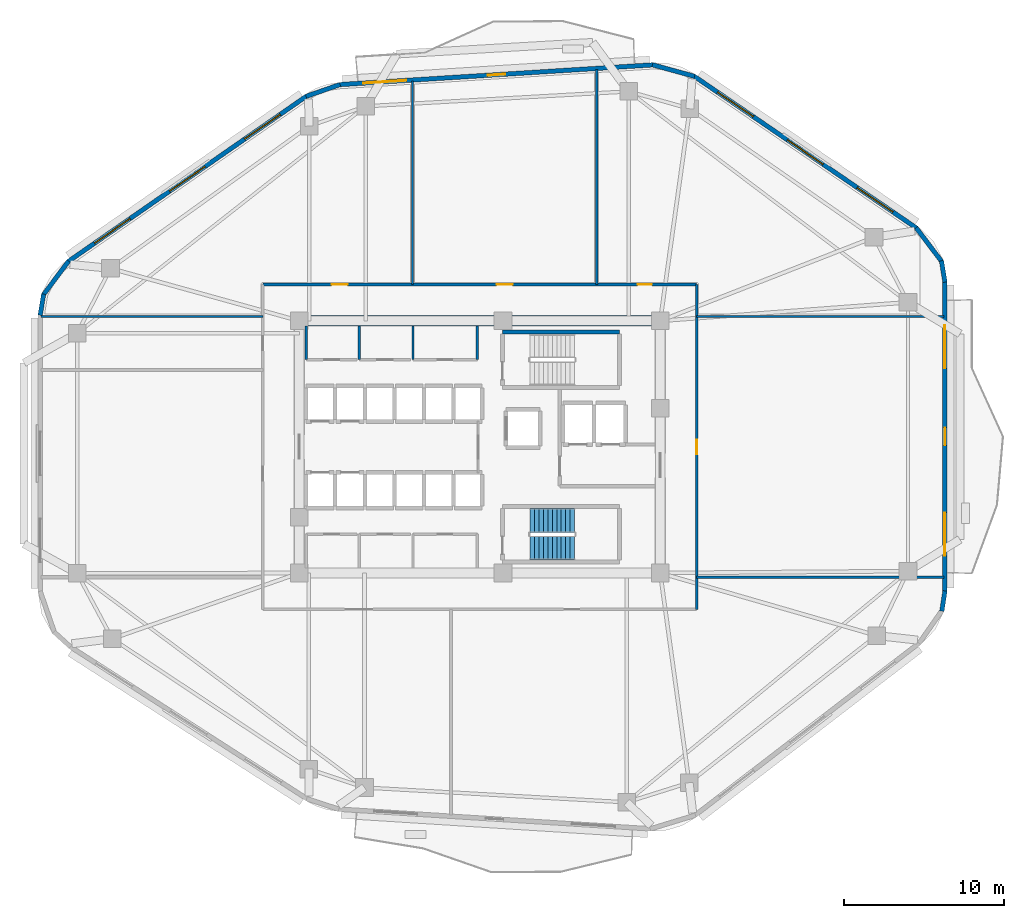
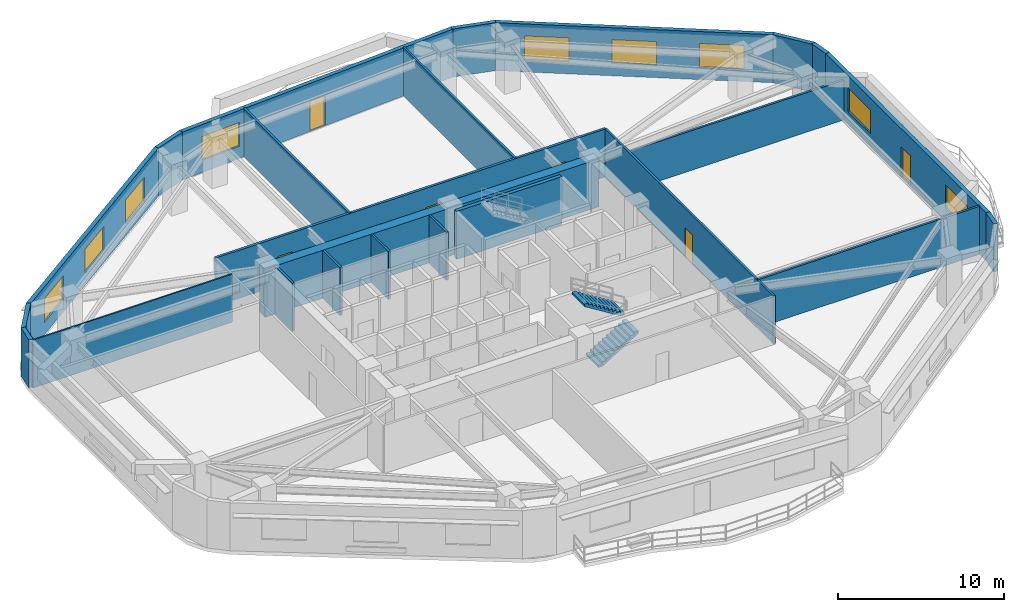
# One storey, part 5 of 9: 24 walls, 9 windows, 6 doors, 2 stair flights, 15 openings, 1 element without a shape of its own.
"""IFC4 building model written with IfcOpenShell, lengths in metres."""

from ifc_helpers import new_model, si_unit, direction, frame, frame_2d, origin, place, context, subcontext, project, spatial, polyline, rectangle, outline, extrude, material, layer, layer_set, type_object, element, fill, aggregate, save


model = new_model("IFC4")

# Units and contexts
model_context = context("Model", 3, precision=1e-05, world=origin(), true_north=direction((0.0, 1.0)))
body_context = subcontext(model_context, "Body", "Model", "MODEL_VIEW")
ifc_project = project(units=[si_unit("LENGTHUNIT", "METRE"), si_unit("AREAUNIT", "SQUARE_METRE"), si_unit("VOLUMEUNIT", "CUBIC_METRE"), si_unit("PLANEANGLEUNIT", "RADIAN"), si_unit("MASSUNIT", "GRAM", prefix="KILO")], contexts=[model_context])

# Site, building, storey
site_placement = place(None, origin())
site = spatial("IfcSite", under=ifc_project, at=site_placement, CompositionType="ELEMENT")
building_placement = place(site_placement, origin())
building = spatial("IfcBuilding", under=site, at=building_placement, Name="Zulverin Broadcast Headquarters", CompositionType="ELEMENT")
storey_placement = place(building_placement, frame((0.0, 0.0, 112.39990234375)))
storey = spatial("IfcBuildingStorey", under=building, at=storey_placement, Name="L28", CompositionType="ELEMENT", Elevation=112.39990234375)

# Wall
ifc_material_1 = material(Name="Concrete C60/75", Category="concrete")
ifc_layer_1 = layer(ifc_material_1, 0.64990234375, Name="Concrete C60/75", Category="concrete")
ifc_layer_set_1 = layer_set([ifc_layer_1], Name="Concrete C60/75")
wall_type_1 = type_object("IfcWallType", Name="WL-CORE-650", PredefinedType="SHEAR", material=ifc_layer_set_1)
wall_1_placement = place(storey_placement, frame((25.39990234375, 33.074951171875, 0.0), z_axis=(0.0, 0.0, 1.0), x_axis=(1.0, 0.0, 0.0)))
element("IfcWall", 1, at=wall_1_placement, inside=storey, type_object=wall_type_1, Name="L28 Core North Shear Wall", PredefinedType="SHEAR", context=body_context, shape_type="SweptSolid", body=[
    extrude(rectangle(XDim=23.2001953125, YDim=0.64990234375, at=frame_2d((11.60009765625, 0.0))), origin(), (0.0, 0.0, 1.0), 3.525146484375),
])

# Wall, openings, door, windows
ifc_material_2 = material(Name="Insulated pale-metal clad concrete spandrel C40/50", Category="concrete")
ifc_layer_2 = layer(ifc_material_2, 0.280029296875, Name="Insulated pale-metal clad concrete spandrel C40/50", Category="concrete")
ifc_layer_set_2 = layer_set([ifc_layer_2], Name="Insulated pale-metal clad concrete spandrel C40/50")
wall_type_2 = type_object("IfcWallType", Name="WL-EXT-280", PredefinedType="STANDARD", material=ifc_layer_set_2)
wall_2_placement = place(storey_placement, frame((66.06005859375, 16.183349609375, 0.0), z_axis=(0.0, 0.0, 1.0), x_axis=(0.0, 1.0, 0.0)))
wall_2 = element("IfcWall", 2, at=wall_2_placement, inside=storey, type_object=wall_type_2, Name="L28 Pale-Metal Clad Spandrel Wall 3", PredefinedType="STANDARD", context=body_context, shape_type="SweptSolid", body=[
    extrude(rectangle(XDim=19.3310546875, YDim=0.280029296875, at=frame_2d((9.66552734375, 0.0))), origin(), (0.0, 0.0, 1.0), 3.525146484375),
])
opening_1_placement = place(wall_2_placement, frame((9.115478515625, 0.0, 0.0)))
opening_1 = element("IfcOpeningElement", 3, at=opening_1_placement, cuts=wall_2, Name="Opening D-L28-TR3", PredefinedType="OPENING", context=body_context, shape_type="SweptSolid", body=[
    extrude(rectangle(XDim=1.10009765625, YDim=2.199951171875, at=frame_2d((0.550048828125, 1.10009765625))), frame((0.0, 0.14990234375, 0.0), z_axis=(0.0, -1.0, 0.0), x_axis=(1.0, 0.0, 0.0)), (0.0, 0.0, 1.0), 0.300048828125),
])
opening_2_placement = place(wall_2_placement, frame((2.205078125, 0.0, 0.89990234375)))
opening_2 = element("IfcOpeningElement", 4, at=opening_2_placement, cuts=wall_2, Name="Opening W-L28-E31", PredefinedType="OPENING", context=body_context, shape_type="SweptSolid", body=[
    extrude(rectangle(XDim=2.699951171875, YDim=1.75, at=frame_2d((1.35009765625, 0.875))), frame((0.0, 0.14990234375, 0.0), z_axis=(0.0, -1.0, 0.0), x_axis=(1.0, 0.0, 0.0)), (0.0, 0.0, 1.0), 0.300048828125),
])
opening_3_placement = place(wall_2_placement, frame((13.92578125, 0.0, 0.89990234375)))
opening_3 = element("IfcOpeningElement", 5, at=opening_3_placement, cuts=wall_2, Name="Opening W-L28-E32", PredefinedType="OPENING", context=body_context, shape_type="SweptSolid", body=[
    extrude(rectangle(XDim=2.699951171875, YDim=1.75, at=frame_2d((1.35009765625, 0.875))), frame((0.0, 0.14990234375, 0.0), z_axis=(0.0, -1.0, 0.0), x_axis=(1.0, 0.0, 0.0)), (0.0, 0.0, 1.0), 0.300048828125),
])
ifc_material_3 = material(Name="Thermally broken aluminium glazed", Category="aluminium")
door_type_1 = type_object("IfcDoorType", Name="DR-TERR-1100", OperationType="SINGLE_SWING_RIGHT", PredefinedType="DOOR", material=ifc_material_3)
door_1_placement = place(opening_1_placement, origin())
door_1 = element("IfcDoor", 6, at=door_1_placement, inside=storey, type_object=door_type_1, Name="L28 Planted Terrace Glazed Access Door 3", OperationType="SINGLE_SWING_RIGHT", OverallHeight=2.199951171875, OverallWidth=1.10009765625, PredefinedType="DOOR", context=body_context, shape_type="SweptSolid", body=[
    extrude(rectangle(XDim=1.10009765625, YDim=2.199951171875, at=frame_2d((0.550048828125, 1.10009765625))), frame((0.0, 0.02490234375, 0.0), z_axis=(0.0, -1.0, 0.0), x_axis=(1.0, 0.0, 0.0)), (0.0, 0.0, 1.0), 0.050048828125),
])
fill(opening_1, door_1)
ifc_material_4 = material(Name="Pale anodized aluminium frame with solar-control low-E double glazing", Category="aluminium")
window_type = type_object("IfcWindowType", Name="WIN-TWR-2700", PartitioningType="SINGLE_PANEL", PredefinedType="WINDOW", material=ifc_material_4)
window_1_placement = place(opening_2_placement, origin())
window_1 = element("IfcWindow", 7, at=window_1_placement, inside=storey, type_object=window_type, Name="L28 Ribbon Glazing Window 3 1", OverallHeight=1.75, OverallWidth=2.699951171875, PartitioningType="SINGLE_PANEL", PredefinedType="WINDOW", context=body_context, shape_type="SweptSolid", body=[
    extrude(rectangle(XDim=2.699951171875, YDim=1.75, at=frame_2d((1.35009765625, 0.875))), frame((0.0, 0.030029296875, 0.0), z_axis=(0.0, -1.0, 0.0), x_axis=(1.0, 0.0, 0.0)), (0.0, 0.0, 1.0), 0.06005859375),
])
fill(opening_2, window_1)
window_2_placement = place(opening_3_placement, origin())
window_2 = element("IfcWindow", 8, at=window_2_placement, inside=storey, type_object=window_type, Name="L28 Ribbon Glazing Window 3 2", OverallHeight=1.75, OverallWidth=2.699951171875, PartitioningType="SINGLE_PANEL", PredefinedType="WINDOW", context=body_context, shape_type="SweptSolid", body=[
    extrude(rectangle(XDim=2.699951171875, YDim=1.75, at=frame_2d((1.35009765625, 0.875))), frame((0.0, 0.030029296875, 0.0), z_axis=(0.0, -1.0, 0.0), x_axis=(1.0, 0.0, 0.0)), (0.0, 0.0, 1.0), 0.06005859375),
])
fill(opening_3, window_2)

# Wall, openings, windows
wall_3_placement = place(storey_placement, frame((64.289794921875, 38.8671875, 0.0), z_axis=(0.0, 0.0, 1.0), x_axis=(-0.825755550159, 0.564028165416, 0.0)))
wall_3 = element("IfcWall", 9, at=wall_3_placement, inside=storey, type_object=wall_type_2, Name="L28 Pale-Metal Clad Spandrel Wall 4", PredefinedType="STANDARD", context=body_context, shape_type="SweptSolid", body=[
    extrude(rectangle(XDim=16.848388671875, YDim=0.280029296875, at=frame_2d((8.42431640625, 0.0))), origin(), (0.0, 0.0, 1.0), 3.525146484375),
])
opening_4_placement = place(wall_3_placement, frame((1.79150390625, 0.0, 0.89990234375)))
opening_4 = element("IfcOpeningElement", 10, at=opening_4_placement, cuts=wall_3, Name="Opening W-L28-E41", PredefinedType="OPENING", context=body_context, shape_type="SweptSolid", body=[
    extrude(rectangle(XDim=2.699951171875, YDim=1.75, at=frame_2d((1.35009765625, 0.875))), frame((0.0, 0.14990234375, 0.0), z_axis=(0.0, -1.0, 0.0), x_axis=(1.0, 0.0, 0.0)), (0.0, 0.0, 1.0), 0.300048828125),
])
opening_5_placement = place(wall_3_placement, frame((7.07421875, 0.0, 0.89990234375)))
opening_5 = element("IfcOpeningElement", 11, at=opening_5_placement, cuts=wall_3, Name="Opening W-L28-E42", PredefinedType="OPENING", context=body_context, shape_type="SweptSolid", body=[
    extrude(rectangle(XDim=2.699951171875, YDim=1.75, at=frame_2d((1.35009765625, 0.875))), frame((0.0, 0.14990234375, 0.0), z_axis=(0.0, -1.0, 0.0), x_axis=(1.0, 0.0, 0.0)), (0.0, 0.0, 1.0), 0.300048828125),
])
opening_6_placement = place(wall_3_placement, frame((12.35693359375, 0.0, 0.89990234375)))
opening_6 = element("IfcOpeningElement", 12, at=opening_6_placement, cuts=wall_3, Name="Opening W-L28-E43", PredefinedType="OPENING", context=body_context, shape_type="SweptSolid", body=[
    extrude(rectangle(XDim=2.699951171875, YDim=1.75, at=frame_2d((1.35009765625, 0.875))), frame((0.0, 0.14990234375, 0.0), z_axis=(0.0, -1.0, 0.0), x_axis=(1.0, 0.0, 0.0)), (0.0, 0.0, 1.0), 0.300048828125),
])
window_3_placement = place(opening_4_placement, origin())
window_3 = element("IfcWindow", 13, at=window_3_placement, inside=storey, type_object=window_type, Name="L28 Ribbon Glazing Window 4 1", OverallHeight=1.75, OverallWidth=2.699951171875, PartitioningType="SINGLE_PANEL", PredefinedType="WINDOW", context=body_context, shape_type="SweptSolid", body=[
    extrude(rectangle(XDim=2.699951171875, YDim=1.75, at=frame_2d((1.35009765625, 0.875))), frame((0.0, 0.030029296875, 0.0), z_axis=(0.0, -1.0, 0.0), x_axis=(1.0, 0.0, 0.0)), (0.0, 0.0, 1.0), 0.06005859375),
])
fill(opening_4, window_3)
window_4_placement = place(opening_5_placement, origin())
window_4 = element("IfcWindow", 14, at=window_4_placement, inside=storey, type_object=window_type, Name="L28 Ribbon Glazing Window 4 2", OverallHeight=1.75, OverallWidth=2.699951171875, PartitioningType="SINGLE_PANEL", PredefinedType="WINDOW", context=body_context, shape_type="SweptSolid", body=[
    extrude(rectangle(XDim=2.699951171875, YDim=1.75, at=frame_2d((1.35009765625, 0.875))), frame((0.0, 0.030029296875, 0.0), z_axis=(0.0, -1.0, 0.0), x_axis=(1.0, 0.0, 0.0)), (0.0, 0.0, 1.0), 0.06005859375),
])
fill(opening_5, window_4)
window_5_placement = place(opening_6_placement, origin())
window_5 = element("IfcWindow", 15, at=window_5_placement, inside=storey, type_object=window_type, Name="L28 Ribbon Glazing Window 4 3", OverallHeight=1.75, OverallWidth=2.699951171875, PartitioningType="SINGLE_PANEL", PredefinedType="WINDOW", context=body_context, shape_type="SweptSolid", body=[
    extrude(rectangle(XDim=2.699951171875, YDim=1.75, at=frame_2d((1.35009765625, 0.875))), frame((0.0, 0.030029296875, 0.0), z_axis=(0.0, -1.0, 0.0), x_axis=(1.0, 0.0, 0.0)), (0.0, 0.0, 1.0), 0.06005859375),
])
fill(opening_6, window_5)

# Wall, openings, door, window
wall_4_placement = place(storey_placement, frame((47.831787109375, 49.0693359375, 0.0), z_axis=(0.0, 0.0, 1.0), x_axis=(-0.998017725054, -0.062933460723, 0.0)))
wall_4 = element("IfcWall", 16, at=wall_4_placement, inside=storey, type_object=wall_type_2, Name="L28 Pale-Metal Clad Spandrel Wall 5", PredefinedType="STANDARD", context=body_context, shape_type="SweptSolid", body=[
    extrude(rectangle(XDim=19.62939453125, YDim=0.280029296875, at=frame_2d((9.814697265625, 0.0))), origin(), (0.0, 0.0, 1.0), 3.525146484375),
])
opening_7_placement = place(wall_4_placement, frame((9.264892578125, 0.0, 0.0)))
opening_7 = element("IfcOpeningElement", 17, at=opening_7_placement, cuts=wall_4, Name="Opening D-L28-TR5", PredefinedType="OPENING", context=body_context, shape_type="SweptSolid", body=[
    extrude(rectangle(XDim=1.10009765625, YDim=2.199951171875, at=frame_2d((0.550048828125, 1.10009765625))), frame((0.0, 0.14990234375, 0.0), z_axis=(0.0, -1.0, 0.0), x_axis=(1.0, 0.0, 0.0)), (0.0, 0.0, 1.0), 0.300048828125),
])
opening_8_placement = place(wall_4_placement, frame((15.45458984375, 0.0, 0.89990234375)))
opening_8 = element("IfcOpeningElement", 18, at=opening_8_placement, cuts=wall_4, Name="Opening W-L28-E51", PredefinedType="OPENING", context=body_context, shape_type="SweptSolid", body=[
    extrude(rectangle(XDim=2.699951171875, YDim=1.75, at=frame_2d((1.35009765625, 0.875))), frame((0.0, 0.14990234375, 0.0), z_axis=(0.0, -1.0, 0.0), x_axis=(1.0, 0.0, 0.0)), (0.0, 0.0, 1.0), 0.300048828125),
])
door_2_placement = place(opening_7_placement, origin())
door_2 = element("IfcDoor", 19, at=door_2_placement, inside=storey, type_object=door_type_1, Name="L28 Planted Terrace Glazed Access Door 5", OperationType="SINGLE_SWING_RIGHT", OverallHeight=2.199951171875, OverallWidth=1.10009765625, PredefinedType="DOOR", context=body_context, shape_type="SweptSolid", body=[
    extrude(rectangle(XDim=1.10009765625, YDim=2.199951171875, at=frame_2d((0.550048828125, 1.10009765625))), frame((0.0, 0.02490234375, 0.0), z_axis=(0.0, -1.0, 0.0), x_axis=(1.0, 0.0, 0.0)), (0.0, 0.0, 1.0), 0.050048828125),
])
fill(opening_7, door_2)
window_6_placement = place(opening_8_placement, origin())
window_6 = element("IfcWindow", 20, at=window_6_placement, inside=storey, type_object=window_type, Name="L28 Ribbon Glazing Window 5 1", OverallHeight=1.75, OverallWidth=2.699951171875, PartitioningType="SINGLE_PANEL", PredefinedType="WINDOW", context=body_context, shape_type="SweptSolid", body=[
    extrude(rectangle(XDim=2.699951171875, YDim=1.75, at=frame_2d((1.35009765625, 0.875))), frame((0.0, 0.030029296875, 0.0), z_axis=(0.0, -1.0, 0.0), x_axis=(1.0, 0.0, 0.0)), (0.0, 0.0, 1.0), 0.06005859375),
])
fill(opening_8, window_6)

# Wall, openings, windows
wall_5_placement = place(storey_placement, frame((26.181884765625, 47.11767578125, 0.0), z_axis=(0.0, 0.0, 1.0), x_axis=(-0.821547956627, -0.570139417127, 0.0)))
wall_5 = element("IfcWall", 21, at=wall_5_placement, inside=storey, type_object=wall_type_2, Name="L28 Pale-Metal Clad Spandrel Wall 6", PredefinedType="STANDARD", context=body_context, shape_type="SweptSolid", body=[
    extrude(rectangle(XDim=18.13232421875, YDim=0.280029296875, at=frame_2d((9.066162109375, 0.0))), origin(), (0.0, 0.0, 1.0), 3.525146484375),
])
opening_9_placement = place(wall_5_placement, frame((2.00537109375, 0.0, 0.89990234375)))
opening_9 = element("IfcOpeningElement", 22, at=opening_9_placement, cuts=wall_5, Name="Opening W-L28-E61", PredefinedType="OPENING", context=body_context, shape_type="SweptSolid", body=[
    extrude(rectangle(XDim=2.699951171875, YDim=1.75, at=frame_2d((1.35009765625, 0.875))), frame((0.0, 0.14990234375, 0.0), z_axis=(0.0, -1.0, 0.0), x_axis=(1.0, 0.0, 0.0)), (0.0, 0.0, 1.0), 0.300048828125),
])
opening_10_placement = place(wall_5_placement, frame((7.716064453125, 0.0, 0.89990234375)))
opening_10 = element("IfcOpeningElement", 23, at=opening_10_placement, cuts=wall_5, Name="Opening W-L28-E62", PredefinedType="OPENING", context=body_context, shape_type="SweptSolid", body=[
    extrude(rectangle(XDim=2.699951171875, YDim=1.75, at=frame_2d((1.35009765625, 0.875))), frame((0.0, 0.14990234375, 0.0), z_axis=(0.0, -1.0, 0.0), x_axis=(1.0, 0.0, 0.0)), (0.0, 0.0, 1.0), 0.300048828125),
])
opening_11_placement = place(wall_5_placement, frame((13.427001953125, 0.0, 0.89990234375)))
opening_11 = element("IfcOpeningElement", 24, at=opening_11_placement, cuts=wall_5, Name="Opening W-L28-E63", PredefinedType="OPENING", context=body_context, shape_type="SweptSolid", body=[
    extrude(rectangle(XDim=2.699951171875, YDim=1.75, at=frame_2d((1.35009765625, 0.875))), frame((0.0, 0.14990234375, 0.0), z_axis=(0.0, -1.0, 0.0), x_axis=(1.0, 0.0, 0.0)), (0.0, 0.0, 1.0), 0.300048828125),
])
window_7_placement = place(opening_9_placement, origin())
window_7 = element("IfcWindow", 25, at=window_7_placement, inside=storey, type_object=window_type, Name="L28 Ribbon Glazing Window 6 1", OverallHeight=1.75, OverallWidth=2.699951171875, PartitioningType="SINGLE_PANEL", PredefinedType="WINDOW", context=body_context, shape_type="SweptSolid", body=[
    extrude(rectangle(XDim=2.699951171875, YDim=1.75, at=frame_2d((1.35009765625, 0.875))), frame((0.0, 0.030029296875, 0.0), z_axis=(0.0, -1.0, 0.0), x_axis=(1.0, 0.0, 0.0)), (0.0, 0.0, 1.0), 0.06005859375),
])
fill(opening_9, window_7)
window_8_placement = place(opening_10_placement, origin())
window_8 = element("IfcWindow", 26, at=window_8_placement, inside=storey, type_object=window_type, Name="L28 Ribbon Glazing Window 6 2", OverallHeight=1.75, OverallWidth=2.699951171875, PartitioningType="SINGLE_PANEL", PredefinedType="WINDOW", context=body_context, shape_type="SweptSolid", body=[
    extrude(rectangle(XDim=2.699951171875, YDim=1.75, at=frame_2d((1.35009765625, 0.875))), frame((0.0, 0.030029296875, 0.0), z_axis=(0.0, -1.0, 0.0), x_axis=(1.0, 0.0, 0.0)), (0.0, 0.0, 1.0), 0.06005859375),
])
fill(opening_10, window_8)
window_9_placement = place(opening_11_placement, origin())
window_9 = element("IfcWindow", 27, at=window_9_placement, inside=storey, type_object=window_type, Name="L28 Ribbon Glazing Window 6 3", OverallHeight=1.75, OverallWidth=2.699951171875, PartitioningType="SINGLE_PANEL", PredefinedType="WINDOW", context=body_context, shape_type="SweptSolid", body=[
    extrude(rectangle(XDim=2.699951171875, YDim=1.75, at=frame_2d((1.35009765625, 0.875))), frame((0.0, 0.030029296875, 0.0), z_axis=(0.0, -1.0, 0.0), x_axis=(1.0, 0.0, 0.0)), (0.0, 0.0, 1.0), 0.06005859375),
])
fill(opening_11, window_9)

# Walls
wall_6_placement = place(storey_placement, frame((65.867431640625, 14.942626953125, 0.0), z_axis=(0.0, 0.0, 1.0), x_axis=(0.152014078361, 0.988378328364, 0.0)))
element("IfcWall", 28, at=wall_6_placement, inside=storey, type_object=wall_type_2, Name="L28 Wind-Shaped Corner Spandrel Wall 2-2", PredefinedType="STANDARD", context=body_context, shape_type="SweptSolid", body=[
    extrude(rectangle(XDim=1.27685546875, YDim=0.280029296875, at=frame_2d((0.638427734375, 0.0))), origin(), (0.0, 0.0, 1.0), 3.525146484375),
])
wall_7_placement = place(storey_placement, frame((66.061767578125, 35.491943359375, 0.0), z_axis=(0.0, 0.0, 1.0), x_axis=(-0.161182073582, 0.986924687682, 0.0)))
element("IfcWall", 29, at=wall_7_placement, inside=storey, type_object=wall_type_2, Name="L28 Wind-Shaped Corner Spandrel Wall 3-1", PredefinedType="STANDARD", context=body_context, shape_type="SweptSolid", body=[
    extrude(rectangle(XDim=1.354248046875, YDim=0.280029296875, at=frame_2d((0.67724609375, 0.0))), origin(), (0.0, 0.0, 1.0), 3.525146484375),
])
wall_8_placement = place(storey_placement, frame((65.8701171875, 36.7666015625, 0.0), z_axis=(0.0, 0.0, 1.0), x_axis=(-0.603370463754, 0.797461023166, 0.0)))
element("IfcWall", 30, at=wall_8_placement, inside=storey, type_object=wall_type_2, Name="L28 Wind-Shaped Corner Spandrel Wall 3-2", PredefinedType="STANDARD", context=body_context, shape_type="SweptSolid", body=[
    extrude(rectangle(XDim=2.6728515625, YDim=0.280029296875, at=frame_2d((1.33642578125, 0.0))), origin(), (0.0, 0.0, 1.0), 3.525146484375),
])
wall_9_placement = place(storey_placement, frame((50.419189453125, 48.3505859375, 0.0), z_axis=(0.0, 0.0, 1.0), x_axis=(-0.964254516967, 0.264977784933, 0.0)))
element("IfcWall", 31, at=wall_9_placement, inside=storey, type_object=wall_type_2, Name="L28 Wind-Shaped Corner Spandrel Wall 4-1", PredefinedType="STANDARD", context=body_context, shape_type="SweptSolid", body=[
    extrude(rectangle(XDim=2.73095703125, YDim=0.280029296875, at=frame_2d((1.365478515625, 0.0))), origin(), (0.0, 0.0, 1.0), 3.525146484375),
])
wall_10_placement = place(storey_placement, frame((28.2783203125, 47.841552734375, 0.0), z_axis=(0.0, 0.0, 1.0), x_axis=(-0.9444559001, -0.328638179106, 0.0)))
element("IfcWall", 32, at=wall_10_placement, inside=storey, type_object=wall_type_2, Name="L28 Wind-Shaped Corner Spandrel Wall 5-1", PredefinedType="STANDARD", context=body_context, shape_type="SweptSolid", body=[
    extrude(rectangle(XDim=2.25537109375, YDim=0.280029296875, at=frame_2d((1.127685546875, 0.0))), origin(), (0.0, 0.0, 1.0), 3.525146484375),
])
wall_11_placement = place(storey_placement, frame((11.317626953125, 36.81103515625, 0.0), z_axis=(0.0, 0.0, 1.0), x_axis=(-0.599455152629, -0.800408345775, 0.0)))
element("IfcWall", 33, at=wall_11_placement, inside=storey, type_object=wall_type_2, Name="L28 Wind-Shaped Corner Spandrel Wall 6-1", PredefinedType="STANDARD", context=body_context, shape_type="SweptSolid", body=[
    extrude(rectangle(XDim=2.6533203125, YDim=0.280029296875, at=frame_2d((1.32666015625, 0.0))), origin(), (0.0, 0.0, 1.0), 3.525146484375),
])
wall_12_placement = place(storey_placement, frame((9.753173828125, 34.748779296875, 0.0), z_axis=(0.0, 0.0, 1.0), x_axis=(-0.160037671962, -0.987110907423, 0.0)))
element("IfcWall", 34, at=wall_12_placement, inside=storey, type_object=wall_type_2, Name="L28 Wind-Shaped Corner Spandrel Wall 6-2", PredefinedType="STANDARD", context=body_context, shape_type="SweptSolid", body=[
    extrude(rectangle(XDim=1.343994140625, YDim=0.280029296875, at=frame_2d((0.671875, 0.0))), origin(), (0.0, 0.0, 1.0), 3.525146484375),
])
ifc_material_5 = material(Name="Fire-rated acoustic laminated glass screen", Category="glass")
ifc_layer_3 = layer(ifc_material_5, 0.10009765625, Name="Fire-rated acoustic laminated glass screen", Category="glass")
ifc_layer_set_3 = layer_set([ifc_layer_3], Name="Fire-rated acoustic laminated glass screen")
wall_type_3 = type_object("IfcWallType", Name="WL-GLAZ-100", PredefinedType="PARTITIONING", material=ifc_layer_set_3)
wall_13_placement = place(storey_placement, frame((9.60498046875, 33.35009765625, 0.0), z_axis=(0.0, 0.0, 1.0), x_axis=(1.0, 0.0, 0.0)))
element("IfcWall", 35, at=wall_13_placement, inside=storey, type_object=wall_type_3, Name="L28 Room Partition Wall RP-10", PredefinedType="PARTITIONING", context=body_context, shape_type="SweptSolid", body=[
    extrude(rectangle(XDim=13.844970703125, YDim=0.10009765625, at=frame_2d((6.92236328125, 0.0))), origin(), (0.0, 0.0, 1.0), 3.525146484375),
])
ifc_material_6 = material(Name="Fire-rated gypsum stud partition", Category="gypsum")
ifc_layer_4 = layer(ifc_material_6, 0.14990234375, Name="Fire-rated gypsum stud partition", Category="gypsum")
ifc_layer_set_4 = layer_set([ifc_layer_4], Name="Fire-rated gypsum stud partition")
wall_type_4 = type_object("IfcWallType", Name="WL-PART-150", PredefinedType="PARTITIONING", material=ifc_layer_set_4)
for number, where, z_axis, x_axis, name in (
    (36, (26.169921875, 30.64990234375, 0.0), (0.0, 0.0, 1.0), (0.0, 1.0, 0.0), "L28 Core Male WC West Wall"),
    (37, (29.47998046875, 30.64990234375, 0.0), (0.0, 0.0, 1.0), (0.0, 1.0, 0.0), "L28 Core Accessible WC West Wall"),
    (38, (32.830078125, 30.64990234375, 0.0), (0.0, 0.0, 1.0), (0.0, 1.0, 0.0), "L28 Core Electrical Distribution Riser West Wall"),
    (39, (36.85009765625, 30.64990234375, 0.0), (0.0, 0.0, 1.0), (0.0, 1.0, 0.0), "L28 Core Electrical Distribution Riser East Wall"),
):
    element("IfcWall", number, at=place(storey_placement, frame(where, z_axis=z_axis, x_axis=x_axis)), inside=storey, type_object=wall_type_4, Name=name, PredefinedType="PARTITIONING", context=body_context, shape_type="SweptSolid", body=[
        extrude(rectangle(XDim=2.10009765625, YDim=0.14990234375, at=frame_2d((1.050048828125, 0.0))), origin(), (0.0, 0.0, 1.0), 3.525146484375),
    ])

# Wall, opening, door
wall_14_placement = place(storey_placement, frame((50.550048828125, 15.050048828125, 0.0), z_axis=(0.0, 0.0, 1.0), x_axis=(0.0, 1.0, 0.0)))
wall_14 = element("IfcWall", 40, at=wall_14_placement, inside=storey, type_object=wall_type_4, Name="L28 Gallery Partition Wall CG-01", PredefinedType="PARTITIONING", context=body_context, shape_type="SweptSolid", body=[
    extrude(rectangle(XDim=20.300048828125, YDim=0.14990234375, at=frame_2d((10.14990234375, 0.0))), origin(), (0.0, 0.0, 1.0), 3.525146484375),
])
opening_12_placement = place(wall_14_placement, frame((9.699951171875, 0.0, 0.0)))
opening_12 = element("IfcOpeningElement", 41, at=opening_12_placement, cuts=wall_14, Name="Opening D-L28-08", PredefinedType="OPENING", context=body_context, shape_type="SweptSolid", body=[
    extrude(rectangle(XDim=0.89990234375, YDim=2.10009765625, at=frame_2d((0.449951171875, 1.050048828125))), frame((0.0, 0.0849609375, 0.0), z_axis=(0.0, -1.0, 0.0), x_axis=(1.0, 0.0, 0.0)), (0.0, 0.0, 1.0), 0.169921875),
])
ifc_material_7 = material(Name="Fire-rated hardwood veneer timber leaf", Category="wood")
door_type_2 = type_object("IfcDoorType", Name="DR-ROOM-900", OperationType="SINGLE_SWING_RIGHT", PredefinedType="DOOR", material=ifc_material_7)
door_3_placement = place(opening_12_placement, origin())
door_3 = element("IfcDoor", 42, at=door_3_placement, inside=storey, type_object=door_type_2, Name="L28 Visitor Reception Door", OperationType="SINGLE_SWING_LEFT", OverallHeight=2.10009765625, OverallWidth=0.89990234375, PredefinedType="DOOR", context=body_context, shape_type="SweptSolid", body=[
    extrude(rectangle(XDim=0.89990234375, YDim=2.10009765625, at=frame_2d((0.449951171875, 1.050048828125))), frame((0.0, 0.02490234375, 0.0), z_axis=(0.0, -1.0, 0.0), x_axis=(1.0, 0.0, 0.0)), (0.0, 0.0, 1.0), 0.050048828125),
])
fill(opening_12, door_3)

# Walls
wall_15_placement = place(storey_placement, frame((44.300048828125, 35.35009765625, 0.0), z_axis=(0.0, 0.0, 1.0), x_axis=(0.0, 1.0, 0.0)))
element("IfcWall", 43, at=wall_15_placement, inside=storey, type_object=wall_type_4, Name="L28 Room Partition Wall RP-02", PredefinedType="PARTITIONING", context=body_context, shape_type="SweptSolid", body=[
    extrude(rectangle(XDim=13.431884765625, YDim=0.14990234375, at=frame_2d((6.7158203125, 0.0))), origin(), (0.0, 0.0, 1.0), 3.525146484375),
])
wall_16_placement = place(storey_placement, frame((32.800048828125, 35.35009765625, 0.0), z_axis=(0.0, 0.0, 1.0), x_axis=(0.0, 1.0, 0.0)))
element("IfcWall", 44, at=wall_16_placement, inside=storey, type_object=wall_type_4, Name="L28 Room Partition Wall RP-04", PredefinedType="PARTITIONING", context=body_context, shape_type="SweptSolid", body=[
    extrude(rectangle(XDim=12.70654296875, YDim=0.14990234375, at=frame_2d((6.353271484375, 0.0))), origin(), (0.0, 0.0, 1.0), 3.525146484375),
])
wall_17_placement = place(storey_placement, frame((50.550048828125, 17.050048828125, 0.0), z_axis=(0.0, 0.0, 1.0), x_axis=(1.0, 0.0, 0.0)))
element("IfcWall", 45, at=wall_17_placement, inside=storey, type_object=wall_type_4, Name="L28 Room Partition Wall RP-08", PredefinedType="PARTITIONING", context=body_context, shape_type="SweptSolid", body=[
    extrude(rectangle(XDim=15.445068359375, YDim=0.14990234375, at=frame_2d((7.72265625, 0.0))), origin(), (0.0, 0.0, 1.0), 3.525146484375),
])
wall_18_placement = place(storey_placement, frame((50.550048828125, 33.35009765625, 0.0), z_axis=(0.0, 0.0, 1.0), x_axis=(1.0, 0.0, 0.0)))
element("IfcWall", 46, at=wall_18_placement, inside=storey, type_object=wall_type_4, Name="L28 Room Partition Wall RP-11", PredefinedType="PARTITIONING", context=body_context, shape_type="SweptSolid", body=[
    extrude(rectangle(XDim=15.445068359375, YDim=0.14990234375, at=frame_2d((7.72265625, 0.0))), origin(), (0.0, 0.0, 1.0), 2.907958984375),
])

# Wall, openings, doors
ifc_material_8 = material(Name="Fire-rated acoustic stud wall", Category="gypsum")
ifc_layer_5 = layer(ifc_material_8, 0.175048828125, Name="Fire-rated acoustic stud wall", Category="gypsum")
ifc_layer_set_5 = layer_set([ifc_layer_5], Name="Fire-rated acoustic stud wall")
wall_type_5 = type_object("IfcWallType", Name="WL-PART-175", PredefinedType="PARTITIONING", material=ifc_layer_set_5)
wall_19_placement = place(storey_placement, frame((23.449951171875, 35.35009765625, 0.0), z_axis=(0.0, 0.0, 1.0), x_axis=(1.0, 0.0, 0.0)))
wall_19 = element("IfcWall", 47, at=wall_19_placement, inside=storey, type_object=wall_type_5, Name="L28 Gallery Partition Wall CG-12", PredefinedType="PARTITIONING", context=body_context, shape_type="SweptSolid", body=[
    extrude(rectangle(XDim=27.10009765625, YDim=0.175048828125, at=frame_2d((13.550048828125, 0.0))), origin(), (0.0, 0.0, 1.0), 3.525146484375),
])
opening_13_placement = place(wall_19_placement, frame((4.294921875, 0.0, 0.0)))
opening_13 = element("IfcOpeningElement", 48, at=opening_13_placement, cuts=wall_19, Name="Opening D-L28-01", PredefinedType="OPENING", context=body_context, shape_type="SweptSolid", body=[
    extrude(rectangle(XDim=1.0, YDim=2.1201171875, at=frame_2d((0.5, 1.06005859375))), frame((0.0, 0.097412109375, 0.0), z_axis=(0.0, -1.0, 0.0), x_axis=(1.0, 0.0, 0.0)), (0.0, 0.0, 1.0), 0.195068359375),
])
opening_14_placement = place(wall_19_placement, frame((14.60009765625, 0.0, 0.0)))
opening_14 = element("IfcOpeningElement", 49, at=opening_14_placement, cuts=wall_19, Name="Opening D-L28-02", PredefinedType="OPENING", context=body_context, shape_type="SweptSolid", body=[
    extrude(rectangle(XDim=1.0, YDim=2.1201171875, at=frame_2d((0.5, 1.06005859375))), frame((0.0, 0.097412109375, 0.0), z_axis=(0.0, -1.0, 0.0), x_axis=(1.0, 0.0, 0.0)), (0.0, 0.0, 1.0), 0.195068359375),
])
opening_15_placement = place(wall_19_placement, frame((23.405029296875, 0.0, 0.0)))
opening_15 = element("IfcOpeningElement", 50, at=opening_15_placement, cuts=wall_19, Name="Opening D-L28-03", PredefinedType="OPENING", context=body_context, shape_type="SweptSolid", body=[
    extrude(rectangle(XDim=0.89990234375, YDim=2.10009765625, at=frame_2d((0.449951171875, 1.050048828125))), frame((0.0, 0.097412109375, 0.0), z_axis=(0.0, -1.0, 0.0), x_axis=(1.0, 0.0, 0.0)), (0.0, 0.0, 1.0), 0.195068359375),
])
ifc_material_9 = material(Name="Hardwood veneer acoustic leaf", Category="wood")
door_type_3 = type_object("IfcDoorType", Name="DR-OFF-1000", OperationType="SINGLE_SWING_LEFT", PredefinedType="DOOR", material=ifc_material_9)
door_4_placement = place(opening_13_placement, origin())
door_4 = element("IfcDoor", 51, at=door_4_placement, inside=storey, type_object=door_type_3, Name="L28 Radio Broadcast Office Door", OperationType="SINGLE_SWING_RIGHT", OverallHeight=2.1201171875, OverallWidth=1.0, PredefinedType="DOOR", context=body_context, shape_type="SweptSolid", body=[
    extrude(rectangle(XDim=1.0, YDim=2.1201171875, at=frame_2d((0.5, 1.06005859375))), frame((0.0, 0.02490234375, 0.0), z_axis=(0.0, -1.0, 0.0), x_axis=(1.0, 0.0, 0.0)), (0.0, 0.0, 1.0), 0.050048828125),
])
fill(opening_13, door_4)
door_5_placement = place(opening_14_placement, origin())
door_5 = element("IfcDoor", 52, at=door_5_placement, inside=storey, type_object=door_type_3, Name="L28 Regional News Workplace Door", OperationType="SINGLE_SWING_LEFT", OverallHeight=2.1201171875, OverallWidth=1.0, PredefinedType="DOOR", context=body_context, shape_type="SweptSolid", body=[
    extrude(rectangle(XDim=1.0, YDim=2.1201171875, at=frame_2d((0.5, 1.06005859375))), frame((0.0, 0.02490234375, 0.0), z_axis=(0.0, -1.0, 0.0), x_axis=(1.0, 0.0, 0.0)), (0.0, 0.0, 1.0), 0.050048828125),
])
fill(opening_14, door_5)
door_6_placement = place(opening_15_placement, origin())
door_6 = element("IfcDoor", 53, at=door_6_placement, inside=storey, type_object=door_type_2, Name="L28 Briefing Room Door", OperationType="SINGLE_SWING_RIGHT", OverallHeight=2.10009765625, OverallWidth=0.89990234375, PredefinedType="DOOR", context=body_context, shape_type="SweptSolid", body=[
    extrude(rectangle(XDim=0.89990234375, YDim=2.10009765625, at=frame_2d((0.449951171875, 1.050048828125))), frame((0.0, 0.02490234375, 0.0), z_axis=(0.0, -1.0, 0.0), x_axis=(1.0, 0.0, 0.0)), (0.0, 0.0, 1.0), 0.050048828125),
])
fill(opening_15, door_6)

# Wall
ifc_material_10 = material(Name="Concrete C50/60", Category="concrete")
ifc_layer_6 = layer(ifc_material_10, 0.25, Name="Concrete C50/60", Category="concrete")
ifc_layer_set_6 = layer_set([ifc_layer_6], Name="Concrete C50/60")
wall_type_6 = type_object("IfcWallType", Name="WL-SHAFT-250", PredefinedType="SHEAR", material=ifc_layer_set_6)
wall_20_placement = place(storey_placement, frame((38.425048828125, 32.375, 0.0), z_axis=(0.0, 0.0, 1.0), x_axis=(1.0, 0.0, 0.0)))
element("IfcWall", 54, at=wall_20_placement, inside=storey, type_object=wall_type_6, Name="L28 ST-1 Enclosure Wall N", PredefinedType="SHEAR", context=body_context, shape_type="SweptSolid", body=[
    extrude(rectangle(XDim=7.300048828125, YDim=0.25, at=frame_2d((3.64990234375, 0.0))), origin(), (0.0, 0.0, 1.0), 3.525146484375),
])

# Stair, stair flights
ifc_material_11 = material(Name="Concrete C40/50", Category="concrete")
stair_type = type_object("IfcStairType", Name="ST-CORE-1500", PredefinedType="HALF_TURN_STAIR", material=ifc_material_11)
stair_placement = place(storey_placement, origin())
stair = element("IfcStair", 55, at=stair_placement, inside=storey, type_object=stair_type, Name="L28 Core Exit Stair ST-2", PredefinedType="HALF_TURN_STAIR")
stair_flight_type = type_object("IfcStairFlightType", Name="SF-CORE-1500", PredefinedType="STRAIGHT", material=ifc_material_11)
stair_flight_1_placement = place(storey_placement, frame((40.1298828125, 18.89990234375, 0.0), z_axis=(0.0, 0.0, 1.0), x_axis=(1.0, 0.0, 0.0)))
stair_flight_1 = element("IfcStairFlight", 56, at=stair_flight_1_placement, type_object=stair_flight_type, Name="ST-2 flight 1", NumberOfRisers=11, NumberOfTreads=10, PredefinedType="STRAIGHT", RiserHeight=0.172727273, TreadLength=0.28, context=body_context, shape_type="SweptSolid", body=[
    extrude(outline(polyline([(0.0, 0.0), (0.0, 0.172607421875), (0.280029296875, 0.172607421875), (0.280029296875, 0.345458984375), (0.56005859375, 0.345458984375), (0.56005859375, 0.51806640625), (0.840087890625, 0.51806640625), (0.840087890625, 0.69091796875), (1.1201171875, 0.69091796875), (1.1201171875, 0.863525390625), (1.39990234375, 0.863525390625), (1.39990234375, 1.036376953125), (1.679931640625, 1.036376953125), (1.679931640625, 1.208984375), (1.9599609375, 1.208984375), (1.9599609375, 1.3818359375), (2.239990234375, 1.3818359375), (2.239990234375, 1.554443359375), (2.52001953125, 1.554443359375), (2.52001953125, 1.727294921875), (2.800048828125, 1.727294921875), (2.800048828125, 1.89990234375), (2.800048828125, 1.551025390625), (0.285400390625, 0.0), (0.0, 0.0)])), frame((0.0, 0.75, 0.0), z_axis=(0.0, -1.0, 0.0), x_axis=(1.0, 0.0, 0.0)), (0.0, 0.0, 1.0), 1.5),
])
stair_flight_2_placement = place(storey_placement, frame((42.929931640625, 20.60009765625, 1.900146484375), z_axis=(0.0, 0.0, 1.0), x_axis=(-1.0, 0.0, 0.0)))
stair_flight_2 = element("IfcStairFlight", 57, at=stair_flight_2_placement, type_object=stair_flight_type, Name="ST-2 flight 2", NumberOfRisers=11, NumberOfTreads=10, PredefinedType="STRAIGHT", RiserHeight=0.172727273, TreadLength=0.28, context=body_context, shape_type="SweptSolid", body=[
    extrude(outline(polyline([(0.0, 0.0), (0.0, 0.172607421875), (0.280029296875, 0.172607421875), (0.280029296875, 0.345458984375), (0.56005859375, 0.345458984375), (0.56005859375, 0.51806640625), (0.840087890625, 0.51806640625), (0.840087890625, 0.69091796875), (1.1201171875, 0.69091796875), (1.1201171875, 0.863525390625), (1.39990234375, 0.863525390625), (1.39990234375, 1.036376953125), (1.679931640625, 1.036376953125), (1.679931640625, 1.208984375), (1.9599609375, 1.208984375), (1.9599609375, 1.3818359375), (2.239990234375, 1.3818359375), (2.239990234375, 1.554443359375), (2.52001953125, 1.554443359375), (2.52001953125, 1.727294921875), (2.800048828125, 1.727294921875), (2.800048828125, 1.89990234375), (2.800048828125, 1.551025390625), (0.285400390625, 0.0), (0.0, 0.0)])), frame((0.0, 0.75, 0.0), z_axis=(0.0, -1.0, 0.0), x_axis=(1.0, 0.0, 0.0)), (0.0, 0.0, 1.0), 1.5),
])
aggregate(stair, [stair_flight_1, stair_flight_2])

save(model, "model.ifc")
